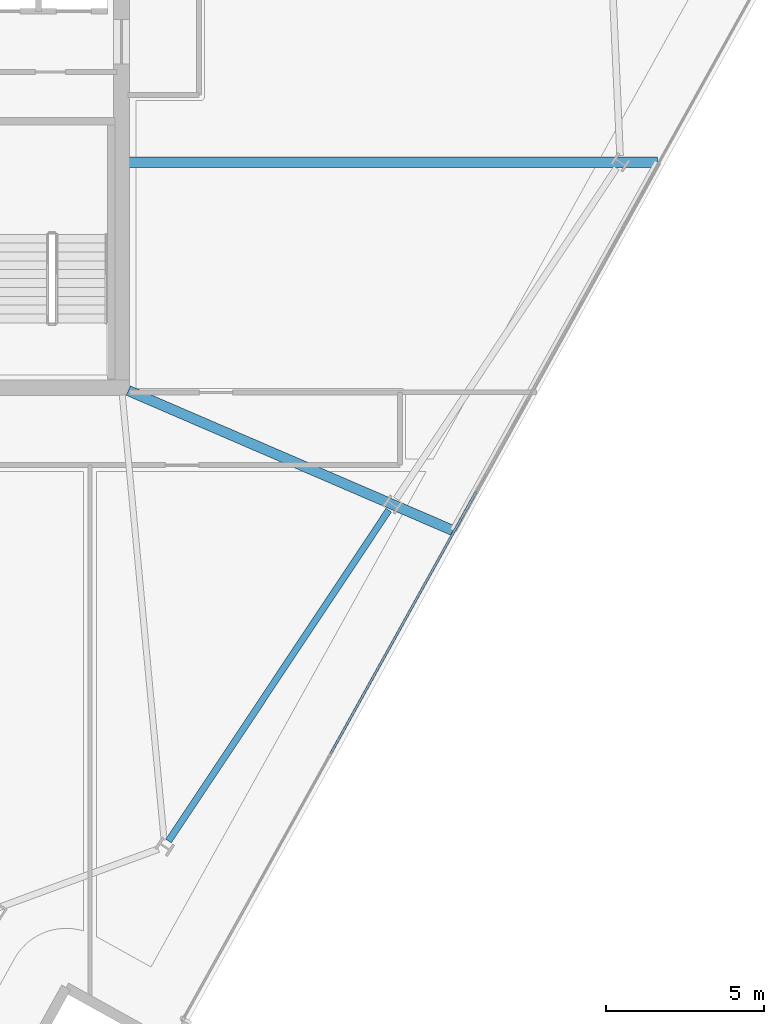
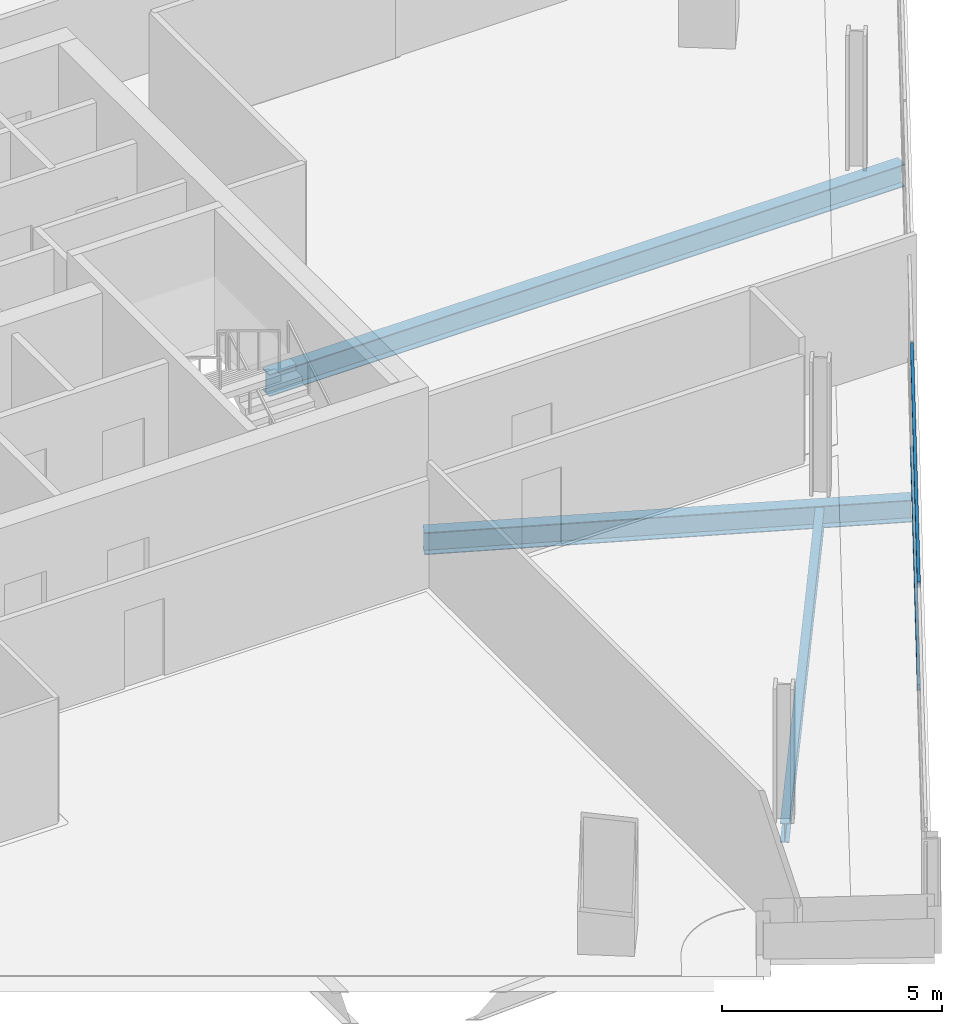
# One storey, part 9 of 28: 3 beams, 2 members, 1 element without a shape of its own.
"""IFC4 building model written with IfcOpenShell, lengths in metres."""

from ifc_helpers import new_model, si_unit, direction, frame, origin, origin_2d, place, context, subcontext, project, spatial, hollow_rectangle, i_section, extrude, material, material_profile, profile_set, type_object, element, aggregate, save


model = new_model("IFC4")

# Units and contexts
model_context = context("Model", 3, precision=1e-05, world=origin(), true_north=direction((0.0, 1.0)))
body_context = subcontext(model_context, "Body", "Model", "MODEL_VIEW")
ifc_project = project(units=[si_unit("LENGTHUNIT", "METRE"), si_unit("AREAUNIT", "SQUARE_METRE"), si_unit("VOLUMEUNIT", "CUBIC_METRE"), si_unit("PLANEANGLEUNIT", "RADIAN"), si_unit("MASSUNIT", "GRAM", prefix="KILO")], contexts=[model_context])

# Site, building, storey
site_placement = place(None, origin())
site = spatial("IfcSite", under=ifc_project, at=site_placement, CompositionType="ELEMENT")
building_placement = place(site_placement, origin())
building = spatial("IfcBuilding", under=site, at=building_placement, Name="Haldenkirk Collegiate Tower", CompositionType="ELEMENT")
storey_placement = place(building_placement, frame((0.0, 0.0, 232.199951171875)))
storey = spatial("IfcBuildingStorey", under=building, at=storey_placement, Name="L58", CompositionType="ELEMENT", Elevation=232.199951171875)

# Beams
ifc_material_1 = material(Name="Steel ASTM A992 Grade 50", Category="steel")
ifc_material_profile_1 = material_profile(ifc_material_1, i_section(OverallWidth=0.324951171875, OverallDepth=0.615966796875, WebThickness=0.013916015625, FlangeThickness=0.021484375, at=origin_2d()), Name="W24X117")
ifc_profile_set_1 = profile_set([ifc_material_profile_1], Name="Steel ASTM A992 Grade 50")
beam_type_1 = type_object("IfcBeamType", Name="BM-GIRDER-W24X117", PredefinedType="BEAM", material=ifc_profile_set_1)
beam_1_placement = place(storey_placement, frame((55.4775390625, 13.4833984375, -0.587890625), z_axis=(-0.918311631274, 0.395858242137, 0.0), x_axis=(-0.395858242137, -0.918311631274, 0.0)))
element("IfcBeam", 1, at=beam_1_placement, inside=storey, type_object=beam_type_1, Name="L58 primary floor girder 06", PredefinedType="BEAM", context=body_context, shape_type="SweptSolid", body=[
    extrude(i_section(OverallWidth=0.324951171875, OverallDepth=0.615966796875, WebThickness=0.013916015625, FlangeThickness=0.021484375, at=origin_2d()), origin(), (0.0, 0.0, 1.0), 11.1796875),
])
beam_2_placement = place(storey_placement, frame((61.94482421875, 25.12646484375, -0.587890625), z_axis=(-1.0, 0.0, 0.0), x_axis=(0.0, -1.0, 0.0)))
element("IfcBeam", 2, at=beam_2_placement, inside=storey, type_object=beam_type_1, Name="L58 primary floor girder 07", PredefinedType="BEAM", context=body_context, shape_type="SweptSolid", body=[
    extrude(i_section(OverallWidth=0.324951171875, OverallDepth=0.615966796875, WebThickness=0.013916015625, FlangeThickness=0.021484375, at=origin_2d()), origin(), (0.0, 0.0, 1.0), 16.71484375),
])
ifc_material_profile_2 = material_profile(ifc_material_1, i_section(OverallWidth=0.2099609375, OverallDepth=0.537109375, WebThickness=0.010986328125, FlangeThickness=0.017333984375, at=origin_2d()), Name="W21X68")
ifc_profile_set_2 = profile_set([ifc_material_profile_2], Name="Steel ASTM A992 Grade 50")
beam_type_2 = type_object("IfcBeamType", Name="BM-SPANDREL-W21X68", PredefinedType="SPANDREL", material=ifc_profile_set_2)
beam_3_placement = place(storey_placement, frame((46.4833984375, 3.67041015625, -0.54833984375), z_axis=(0.554112521622, 0.832441777773, 0.0), x_axis=(-0.832441777773, 0.554112521622, 0.0)))
element("IfcBeam", 3, at=beam_3_placement, inside=storey, type_object=beam_type_2, Name="L58 perimeter spandrel beam 02", PredefinedType="SPANDREL", context=body_context, shape_type="SweptSolid", body=[
    extrude(i_section(OverallWidth=0.2099609375, OverallDepth=0.537109375, WebThickness=0.010986328125, FlangeThickness=0.017333984375, at=origin_2d()), origin(), (0.0, 0.0, 1.0), 12.561767578125),
])

# Curtain wall, members
ifc_material_2 = material(Name="Anodised architectural bronze aluminium", Category="aluminium")
curtain_wall_type = type_object("IfcCurtainWallType", Name="CW-SYS2-CONCAVE", PredefinedType="USERDEFINED", material=ifc_material_2)
curtain_wall_placement = place(storey_placement, origin())
curtain_wall = element("IfcCurtainWall", 4, at=curtain_wall_placement, inside=storey, type_object=curtain_wall_type, Name="L58 South concave recessed bronze-anodised curtain wall", ObjectType="UNITISED CURTAIN WALL", PredefinedType="USERDEFINED")
ifc_material_profile_3 = material_profile(ifc_material_2, hollow_rectangle(XDim=0.074951171875, YDim=0.159912109375, WallThickness=0.0048828125, at=origin_2d()), Name="CW-TRN-02")
ifc_profile_set_3 = profile_set([ifc_material_profile_3], Name="Anodised architectural bronze aluminium")
member_type = type_object("IfcMemberType", Name="CW-TRN-02", PredefinedType="USERDEFINED", material=ifc_profile_set_3)
member_1_placement = place(storey_placement, frame((56.215087890625, 14.728759765625, 0.03759765625), z_axis=(-0.485577470792, -0.874193639796, 0.0), x_axis=(0.874193639796, -0.485577470792, 0.0)))
member_1 = element("IfcMember", 5, at=member_1_placement, type_object=member_type, Name="CW-02 transom 3.1", ObjectType="TRANSOM", PredefinedType="USERDEFINED", context=body_context, shape_type="SweptSolid", body=[
    extrude(hollow_rectangle(XDim=0.074951171875, YDim=0.159912109375, WallThickness=0.0048828125, at=origin_2d()), origin(), (0.0, 0.0, 1.0), 9.5),
])
member_2_placement = place(storey_placement, frame((56.215087890625, 14.728759765625, 2.890625), z_axis=(-0.485577470792, -0.874193639796, 0.0), x_axis=(0.874193639796, -0.485577470792, 0.0)))
member_2 = element("IfcMember", 6, at=member_2_placement, type_object=member_type, Name="CW-02 transom 3.2", ObjectType="TRANSOM", PredefinedType="USERDEFINED", context=body_context, shape_type="SweptSolid", body=[
    extrude(hollow_rectangle(XDim=0.074951171875, YDim=0.159912109375, WallThickness=0.0048828125, at=origin_2d()), origin(), (0.0, 0.0, 1.0), 9.5),
])
aggregate(curtain_wall, [member_1, member_2])

save(model, "model.ifc")
